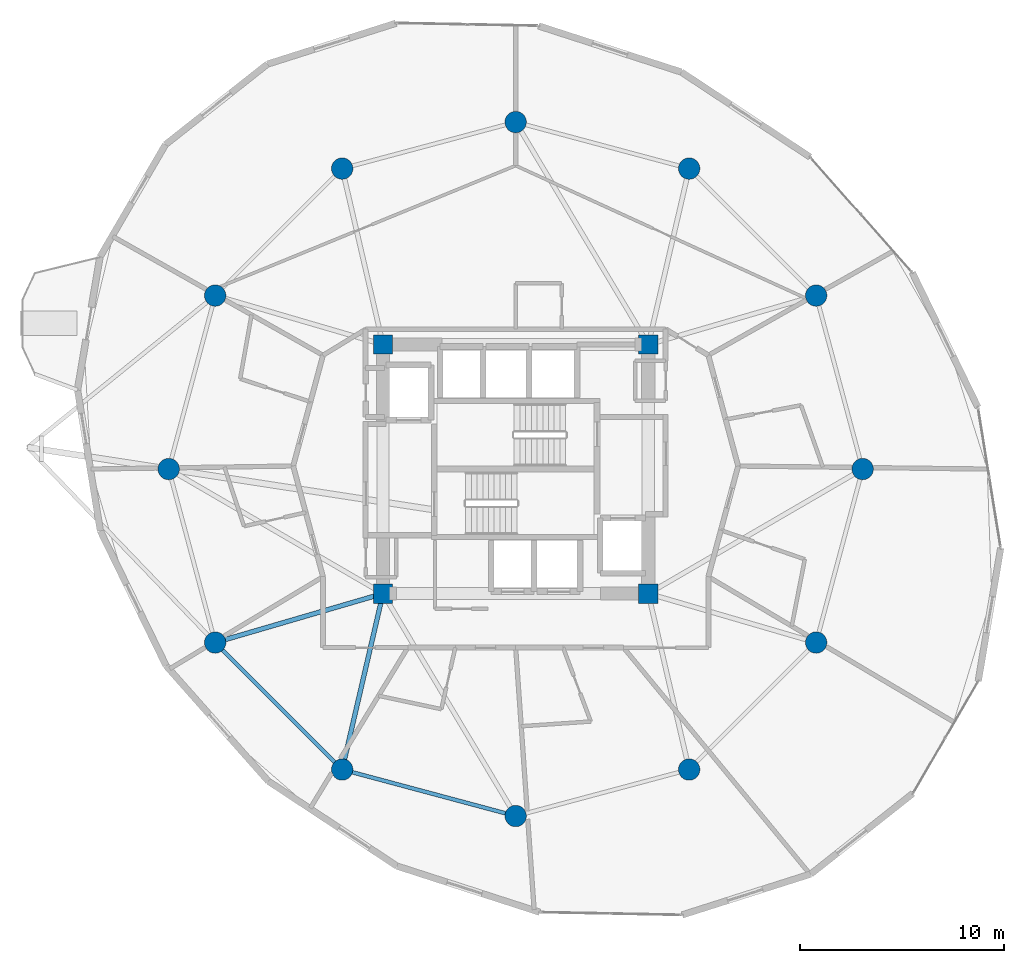
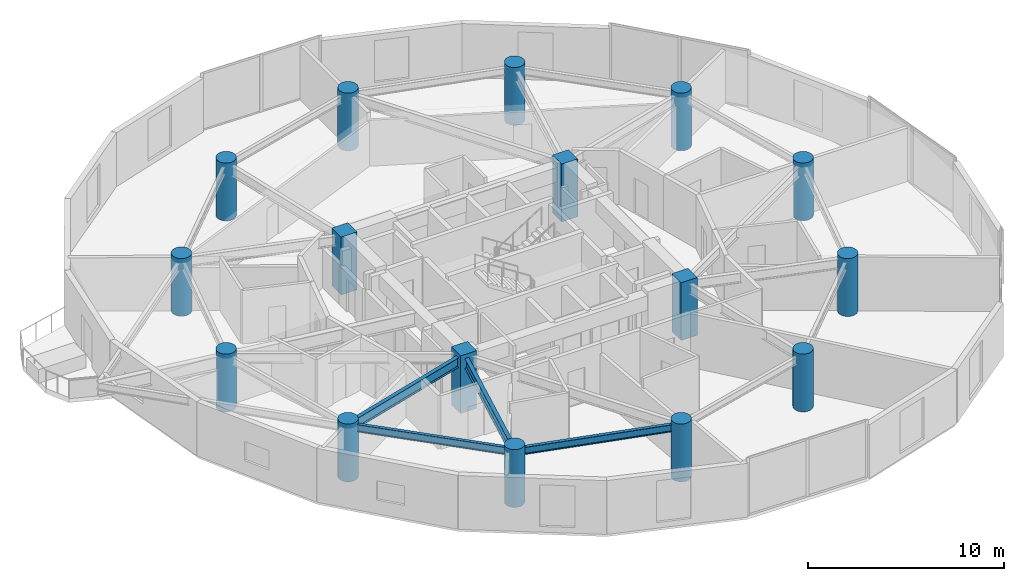
# One storey, part 1 of 20: 16 columns, 4 beams.
"""IFC4 building model written with IfcOpenShell, lengths in metres."""

from ifc_helpers import new_model, si_unit, direction, frame, origin, origin_2d, place, context, subcontext, project, spatial, rectangle, circle, i_section, extrude, material, material_profile, profile_set, type_object, element, save


model = new_model("IFC4")

# Units and contexts
model_context = context("Model", 3, precision=1e-05, world=origin(), true_north=direction((0.0, 1.0)))
body_context = subcontext(model_context, "Body", "Model", "MODEL_VIEW")
ifc_project = project(units=[si_unit("LENGTHUNIT", "METRE"), si_unit("AREAUNIT", "SQUARE_METRE"), si_unit("VOLUMEUNIT", "CUBIC_METRE"), si_unit("PLANEANGLEUNIT", "RADIAN"), si_unit("MASSUNIT", "GRAM", prefix="KILO")], contexts=[model_context])

# Site, building, storey
site_placement = place(None, origin())
site = spatial("IfcSite", under=ifc_project, at=site_placement, CompositionType="ELEMENT")
building_placement = place(site_placement, origin())
building = spatial("IfcBuilding", under=site, at=building_placement, Name="Solvirekh Grand Hotel", CompositionType="ELEMENT")
storey_placement = place(building_placement, frame((0.0, 0.0, 135.0)))
storey = spatial("IfcBuildingStorey", under=building, at=storey_placement, Name="L34", CompositionType="ELEMENT", Elevation=135.0)

# Columns
ifc_material_1 = material(Name="Concrete C50/60", Category="concrete")
ifc_material_profile_1 = material_profile(ifc_material_1, rectangle(XDim=0.949951171875, YDim=0.949951171875, at=origin_2d()), Name="RC 950X950")
ifc_profile_set_1 = profile_set([ifc_material_profile_1], Name="Concrete C50/60")
column_type_1 = type_object("IfcColumnType", Name="Col_Core_950", PredefinedType="COLUMN", material=ifc_profile_set_1)
for number, where, z_axis, x_axis, name in (
    (1, (-6.5, -6.10009765625, 0.0), (0.0, 0.0, 1.0), (1.0, 0.0, 0.0), "L34 core corner column CC1"),
    (2, (6.5, -6.10009765625, 0.0), (0.0, 0.0, 1.0), (1.0, 0.0, 0.0), "L34 core corner column CC2"),
    (3, (6.5, 6.10009765625, 0.0), (0.0, 0.0, 1.0), (1.0, 0.0, 0.0), "L34 core corner column CC3"),
    (4, (-6.5, 6.10009765625, 0.0), (0.0, 0.0, 1.0), (1.0, 0.0, 0.0), "L34 core corner column CC4"),
):
    element("IfcColumn", number, at=place(storey_placement, frame(where, z_axis=z_axis, x_axis=x_axis)), inside=storey, type_object=column_type_1, Name=name, PredefinedType="COLUMN", context=body_context, shape_type="SweptSolid", body=[
        extrude(rectangle(XDim=0.949951171875, YDim=0.949951171875, at=origin_2d()), origin(), (0.0, 0.0, 1.0), 3.60009765625),
    ])
ifc_material_profile_2 = material_profile(ifc_material_1, circle(Radius=0.52490234375, at=origin_2d()), Name="RC CIRC D1050")
ifc_profile_set_2 = profile_set([ifc_material_profile_2], Name="Concrete C50/60")
column_type_2 = type_object("IfcColumnType", Name="Col_Z2_D1050", PredefinedType="COLUMN", material=ifc_profile_set_2)
for number, where, z_axis, x_axis, name in (
    (5, (17.0, 0.0, 0.0), (0.0, 0.0, 1.0), (1.0, 0.0, 0.0), "L34 perimeter column P01"),
    (6, (14.721923828125, 8.5, 0.0), (0.0, 0.0, 1.0), (1.0, 0.0, 0.0), "L34 perimeter column P02"),
    (7, (8.5, 14.721923828125, 0.0), (0.0, 0.0, 1.0), (1.0, 0.0, 0.0), "L34 perimeter column P03"),
    (8, (0.0, 17.0, 0.0), (0.0, 0.0, 1.0), (1.0, 0.0, 0.0), "L34 perimeter column P04"),
    (9, (-8.5, 14.721923828125, 0.0), (0.0, 0.0, 1.0), (1.0, 0.0, 0.0), "L34 perimeter column P05"),
    (10, (-14.721923828125, 8.5, 0.0), (0.0, 0.0, 1.0), (1.0, 0.0, 0.0), "L34 perimeter column P06"),
    (11, (-17.0, 0.0, 0.0), (0.0, 0.0, 1.0), (1.0, 0.0, 0.0), "L34 perimeter column P07"),
    (12, (-14.721923828125, -8.5, 0.0), (0.0, 0.0, 1.0), (1.0, 0.0, 0.0), "L34 perimeter column P08"),
    (13, (-8.5, -14.721923828125, 0.0), (0.0, 0.0, 1.0), (1.0, 0.0, 0.0), "L34 perimeter column P09"),
    (14, (0.0, -17.0, 0.0), (0.0, 0.0, 1.0), (1.0, 0.0, 0.0), "L34 perimeter column P10"),
    (15, (8.5, -14.721923828125, 0.0), (0.0, 0.0, 1.0), (1.0, 0.0, 0.0), "L34 perimeter column P11"),
    (16, (14.721923828125, -8.5, 0.0), (0.0, 0.0, 1.0), (1.0, 0.0, 0.0), "L34 perimeter column P12"),
):
    element("IfcColumn", number, at=place(storey_placement, frame(where, z_axis=z_axis, x_axis=x_axis)), inside=storey, type_object=column_type_2, Name=name, PredefinedType="COLUMN", context=body_context, shape_type="SweptSolid", body=[
        extrude(circle(Radius=0.52490234375, at=origin_2d()), origin(), (0.0, 0.0, 1.0), 3.60009765625),
    ])

# Beams
ifc_material_2 = material(Name="Steel S355", Category="steel")
ifc_material_profile_3 = material_profile(ifc_material_2, i_section(OverallWidth=0.22802734375, OverallDepth=0.616943359375, WebThickness=0.012939453125, FlangeThickness=0.02001953125, FilletRadius=0.014892578125, at=origin_2d()), Name="W610X140")
ifc_profile_set_3 = profile_set([ifc_material_profile_3], Name="Steel S355")
beam_type_1 = type_object("IfcBeamType", Name="Beam_Radial_W610", PredefinedType="BEAM", material=ifc_profile_set_3)
beam_1_placement = place(storey_placement, frame((-6.5, -6.10009765625, 3.041015625), z_axis=(-0.959942195467, -0.28019811092, 0.0), x_axis=(0.28019811092, -0.959942195467, 0.0)))
element("IfcBeam", 17, at=beam_1_placement, inside=storey, type_object=beam_type_1, Name="L34 radial floor beam R08", PredefinedType="BEAM", context=body_context, shape_type="SweptSolid", body=[
    extrude(i_section(OverallWidth=0.22802734375, OverallDepth=0.616943359375, WebThickness=0.012939453125, FlangeThickness=0.02001953125, FilletRadius=0.014892578125, at=origin_2d()), origin(), (0.0, 0.0, 1.0), 8.56494140625),
])
beam_2_placement = place(storey_placement, frame((-6.5, -6.10009765625, 3.041015625), z_axis=(-0.225969390542, -0.974134402707, 0.0), x_axis=(0.974134402707, -0.225969390542, 0.0)))
element("IfcBeam", 18, at=beam_2_placement, inside=storey, type_object=beam_type_1, Name="L34 radial floor beam R09", PredefinedType="BEAM", context=body_context, shape_type="SweptSolid", body=[
    extrude(i_section(OverallWidth=0.22802734375, OverallDepth=0.616943359375, WebThickness=0.012939453125, FlangeThickness=0.02001953125, FilletRadius=0.014892578125, at=origin_2d()), origin(), (0.0, 0.0, 1.0), 8.850830078125),
])
ifc_material_profile_4 = material_profile(ifc_material_2, i_section(OverallWidth=0.18994140625, OverallDepth=0.45703125, WebThickness=0.009033203125, FlangeThickness=0.013916015625, FilletRadius=0.012939453125, at=origin_2d()), Name="W460X74")
ifc_profile_set_4 = profile_set([ifc_material_profile_4], Name="Steel S355")
beam_type_2 = type_object("IfcBeamType", Name="Spandrel_Ring_W460", PredefinedType="SPANDREL", material=ifc_profile_set_4)
beam_3_placement = place(storey_placement, frame((-14.721923828125, -8.5, 3.12109375), z_axis=(0.707106781187, -0.707106781187, 0.0), x_axis=(0.707106781187, 0.707106781187, 0.0)))
element("IfcBeam", 19, at=beam_3_placement, inside=storey, type_object=beam_type_2, Name="L34 perimeter spandrel beam 8", PredefinedType="SPANDREL", context=body_context, shape_type="SweptSolid", body=[
    extrude(i_section(OverallWidth=0.18994140625, OverallDepth=0.45703125, WebThickness=0.009033203125, FlangeThickness=0.013916015625, FilletRadius=0.012939453125, at=origin_2d()), origin(), (0.0, 0.0, 1.0), 8.799072265625),
])
beam_4_placement = place(storey_placement, frame((-8.5, -14.721923828125, 3.12109375), z_axis=(0.965911391906, -0.258872908946, 0.0), x_axis=(0.258872908946, 0.965911391906, 0.0)))
element("IfcBeam", 20, at=beam_4_placement, inside=storey, type_object=beam_type_2, Name="L34 perimeter spandrel beam 9", PredefinedType="SPANDREL", context=body_context, shape_type="SweptSolid", body=[
    extrude(i_section(OverallWidth=0.18994140625, OverallDepth=0.45703125, WebThickness=0.009033203125, FlangeThickness=0.013916015625, FilletRadius=0.012939453125, at=origin_2d()), origin(), (0.0, 0.0, 1.0), 8.800048828125),
])

save(model, "model.ifc")
